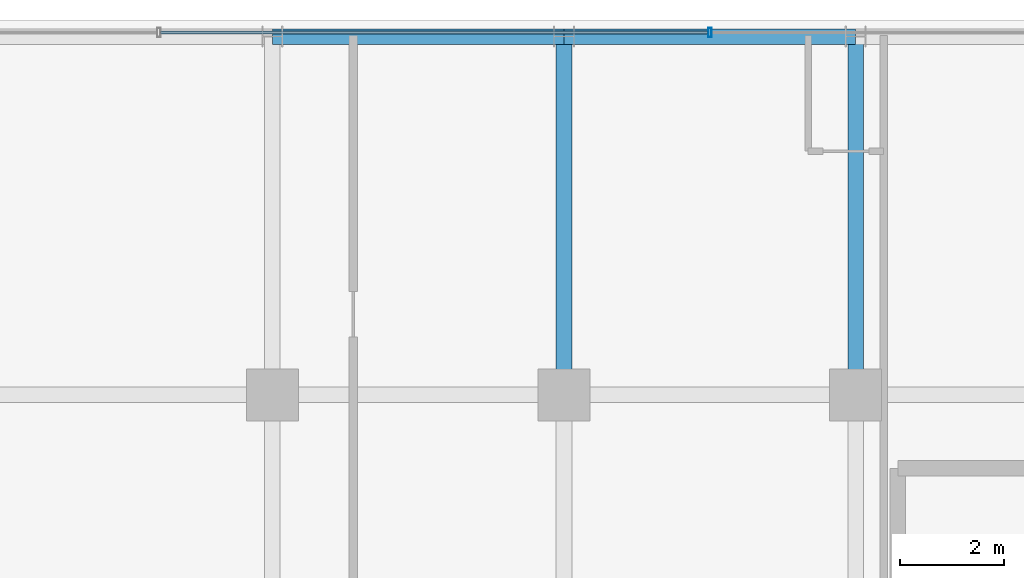
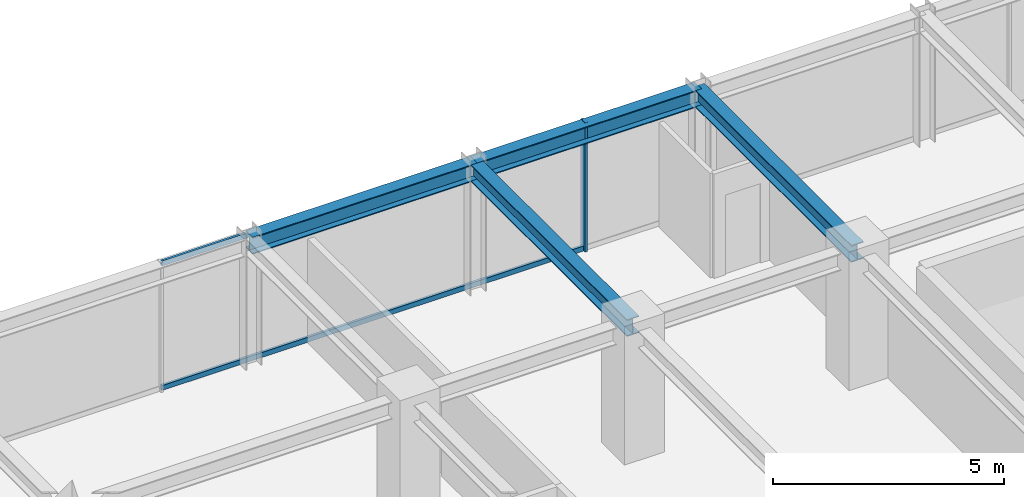
# One storey, part 22 of 36: 4 beams, 3 members, 1 element without a shape of its own.
"""IFC4 building model written with IfcOpenShell, lengths in metres."""

from ifc_helpers import new_model, si_unit, direction, frame, origin, origin_2d, place, context, subcontext, project, spatial, hollow_rectangle, i_section, extrude, source, transform, mapped, material, material_profile, profile_set, type_object, element, aggregate, save


model = new_model("IFC4")

# Units and contexts
model_context = context("Model", 3, precision=1e-05, world=origin(), true_north=direction((0.0, 1.0)))
body_context = subcontext(model_context, "Body", "Model", "MODEL_VIEW")
ifc_project = project(units=[si_unit("LENGTHUNIT", "METRE"), si_unit("AREAUNIT", "SQUARE_METRE"), si_unit("VOLUMEUNIT", "CUBIC_METRE"), si_unit("PLANEANGLEUNIT", "RADIAN"), si_unit("MASSUNIT", "GRAM", prefix="KILO")], contexts=[model_context])

# Site, building, storey
site_placement = place(None, origin())
site = spatial("IfcSite", under=ifc_project, at=site_placement, CompositionType="ELEMENT")
building_placement = place(site_placement, origin())
building = spatial("IfcBuilding", under=site, at=building_placement, Name="Nahalor Promenade Grand Hotel", CompositionType="ELEMENT")
storey_placement = place(building_placement, frame((0.0, 0.0, 253.0)))
storey = spatial("IfcBuildingStorey", under=building, at=storey_placement, Name="L65", CompositionType="ELEMENT", Elevation=253.0)

# Beams
ifc_material_1 = material(Name="Steel S355JR", Category="steel")
ifc_material_profile_1 = material_profile(ifc_material_1, i_section(OverallWidth=0.3, OverallDepth=0.45, WebThickness=0.014, FlangeThickness=0.026, at=origin_2d()), Name="HEB 450")
ifc_profile_set_1 = profile_set([ifc_material_profile_1], Name="Steel S355JR")
beam_type_1 = type_object("IfcBeamType", Name="Beam-Spandrel-HEB450", PredefinedType="SPANDREL", material=ifc_profile_set_1)
shared_shape_1 = source(origin(), body_context, "Body", "SweptSolid", [
    extrude(i_section(OverallWidth=0.3, OverallDepth=0.45, WebThickness=0.014, FlangeThickness=0.026, at=origin_2d()), origin(), (0.0, 0.0, 1.0), 5.599853515625),
])
beam_1_placement = place(storey_placement, frame((-8.39990234375, 23.8798828125, 3.18505859375), z_axis=(1.0, 0.0, 0.0), x_axis=(0.0, 1.0, 0.0)))
element("IfcBeam", 1, at=beam_1_placement, inside=storey, type_object=beam_type_1, Name="BM-L65-SP-N-1", PredefinedType="SPANDREL", context=body_context, shape_type="MappedRepresentation", body=[
    mapped(shared_shape_1, transform((0.0, 0.0, 0.0), scale=1.0)),
])
shared_shape_2 = source(origin(), body_context, "Body", "SweptSolid", [
    extrude(i_section(OverallWidth=0.3, OverallDepth=0.45, WebThickness=0.014, FlangeThickness=0.026, at=origin_2d()), origin(), (0.0, 0.0, 1.0), 5.60009765625),
])
beam_2_placement = place(storey_placement, frame((-2.800048828125, 23.8798828125, 3.18505859375), z_axis=(1.0, 0.0, 0.0), x_axis=(0.0, 1.0, 0.0)))
element("IfcBeam", 2, at=beam_2_placement, inside=storey, type_object=beam_type_1, Name="BM-L65-SP-N-2", PredefinedType="SPANDREL", context=body_context, shape_type="MappedRepresentation", body=[
    mapped(shared_shape_2, transform((0.0, 0.0, 0.0), scale=1.0)),
])
ifc_material_profile_2 = material_profile(ifc_material_1, i_section(OverallWidth=0.3, OverallDepth=0.45, WebThickness=0.014, FlangeThickness=0.026, at=origin_2d()), Name="HEB 450")
ifc_profile_set_2 = profile_set([ifc_material_profile_2], Name="Steel S355JR")
beam_type_2 = type_object("IfcBeamType", Name="Beam-Girder-HEB450", PredefinedType="BEAM", material=ifc_profile_set_2)
shared_shape_3 = source(origin(), body_context, "Body", "SweptSolid", [
    extrude(i_section(OverallWidth=0.3, OverallDepth=0.45, WebThickness=0.014, FlangeThickness=0.026, at=origin_2d()), origin(), (0.0, 0.0, 1.0), 6.8798828125),
])
for number, where, z_axis, x_axis, name in (
    (3, (-2.800048828125, 17.0, 3.18505859375), (0.0, 1.0, 0.0), (-1.0, 0.0, 0.0), "BM-L65-GY-2-4"),
    (4, (2.800048828125, 17.0, 3.18505859375), (0.0, 1.0, 0.0), (-1.0, 0.0, 0.0), "BM-L65-GY-3-4"),
):
    element("IfcBeam", number, at=place(storey_placement, frame(where, z_axis=z_axis, x_axis=x_axis)), inside=storey, type_object=beam_type_2, Name=name, PredefinedType="BEAM", context=body_context, shape_type="MappedRepresentation", body=[
        mapped(shared_shape_3, transform((0.0, 0.0, 0.0), scale=1.0)),
    ])

# Curtain wall, members
ifc_material_2 = material(Name="Anodised Bronze Aluminium EN AW-6063 T6", Category="aluminium")
curtain_wall_type = type_object("IfcCurtainWallType", Name="CW2 Typical Hotel Flush Bronze Unitised Curtain Wall", PredefinedType="USERDEFINED", material=ifc_material_2)
curtain_wall_placement = place(storey_placement, origin())
curtain_wall = element("IfcCurtainWall", 5, at=curtain_wall_placement, inside=storey, type_object=curtain_wall_type, Name="L65 Curtain Wall CW-L65-N-1", ObjectType="UNITISED_CURTAIN_WALL", PredefinedType="USERDEFINED")
ifc_material_profile_3 = material_profile(ifc_material_2, hollow_rectangle(XDim=0.065, YDim=0.13, WallThickness=0.004, at=origin_2d()), Name="CWT 65x130x4")
ifc_profile_set_3 = profile_set([ifc_material_profile_3], Name="Anodised Bronze Aluminium EN AW-6063 T6")
member_type_1 = type_object("IfcMemberType", Name="CWT2 Typical Bronze Transom 65x130", PredefinedType="USERDEFINED", material=ifc_profile_set_3)
shared_shape_4 = source(origin(), body_context, "Body", "SweptSolid", [
    extrude(hollow_rectangle(XDim=0.065, YDim=0.13, WallThickness=0.004, at=origin_2d()), origin(), (0.0, 0.0, 1.0), 10.51513671875),
])
member_1_placement = place(storey_placement, frame((-10.547607421875, 23.9599609375, 0.06494140625), z_axis=(1.0, 0.0, 0.0), x_axis=(0.0, 1.0, 0.0)))
member_1 = element("IfcMember", 6, at=member_1_placement, type_object=member_type_1, Name="CW-L65-N-1 Transom 1-0", ObjectType="TRANSOM", PredefinedType="USERDEFINED", context=body_context, shape_type="MappedRepresentation", body=[
    mapped(shared_shape_4, transform((0.0, 0.0, 0.0), scale=1.0)),
])
member_2_placement = place(storey_placement, frame((-10.547607421875, 23.9599609375, 3.344970703125), z_axis=(1.0, 0.0, 0.0), x_axis=(0.0, 1.0, 0.0)))
member_2 = element("IfcMember", 7, at=member_2_placement, type_object=member_type_1, Name="CW-L65-N-1 Transom 1-1", ObjectType="TRANSOM", PredefinedType="USERDEFINED", context=body_context, shape_type="MappedRepresentation", body=[
    mapped(shared_shape_4, transform((0.0, 0.0, 0.0), scale=1.0)),
])
ifc_material_profile_4 = material_profile(ifc_material_2, hollow_rectangle(XDim=0.065, YDim=0.18, WallThickness=0.004, at=origin_2d()), Name="CWM 65x180x4")
ifc_profile_set_4 = profile_set([ifc_material_profile_4], Name="Anodised Bronze Aluminium EN AW-6063 T6")
member_type_2 = type_object("IfcMemberType", Name="CWM2 Typical Bronze Mullion 65x180", PredefinedType="MULLION", material=ifc_profile_set_4)
shared_shape_5 = source(origin(), body_context, "Body", "SweptSolid", [
    extrude(hollow_rectangle(XDim=0.065, YDim=0.18, WallThickness=0.004, at=origin_2d()), origin(), (0.0, 0.0, 1.0), 3.409912109375),
])
member_3_placement = place(storey_placement, frame((0.0, 23.9599609375, 0.0), z_axis=(0.0, 0.0, 1.0), x_axis=(1.0, 0.0, 0.0)))
member_3 = element("IfcMember", 8, at=member_3_placement, type_object=member_type_2, Name="CW-L65-N-1 Mullion 2", PredefinedType="MULLION", context=body_context, shape_type="MappedRepresentation", body=[
    mapped(shared_shape_5, transform((0.0, 0.0, 0.0), scale=1.0)),
])
aggregate(curtain_wall, [member_3, member_1, member_2])

save(model, "model.ifc")
